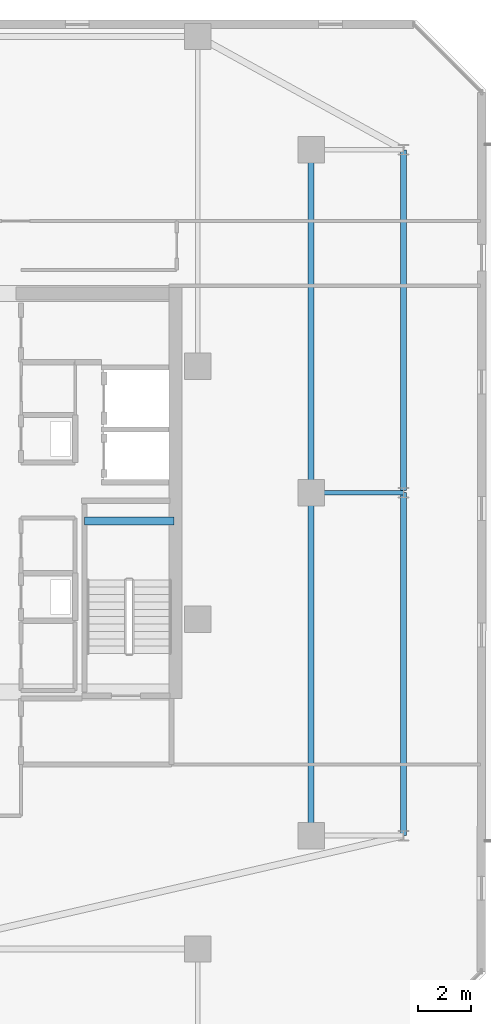
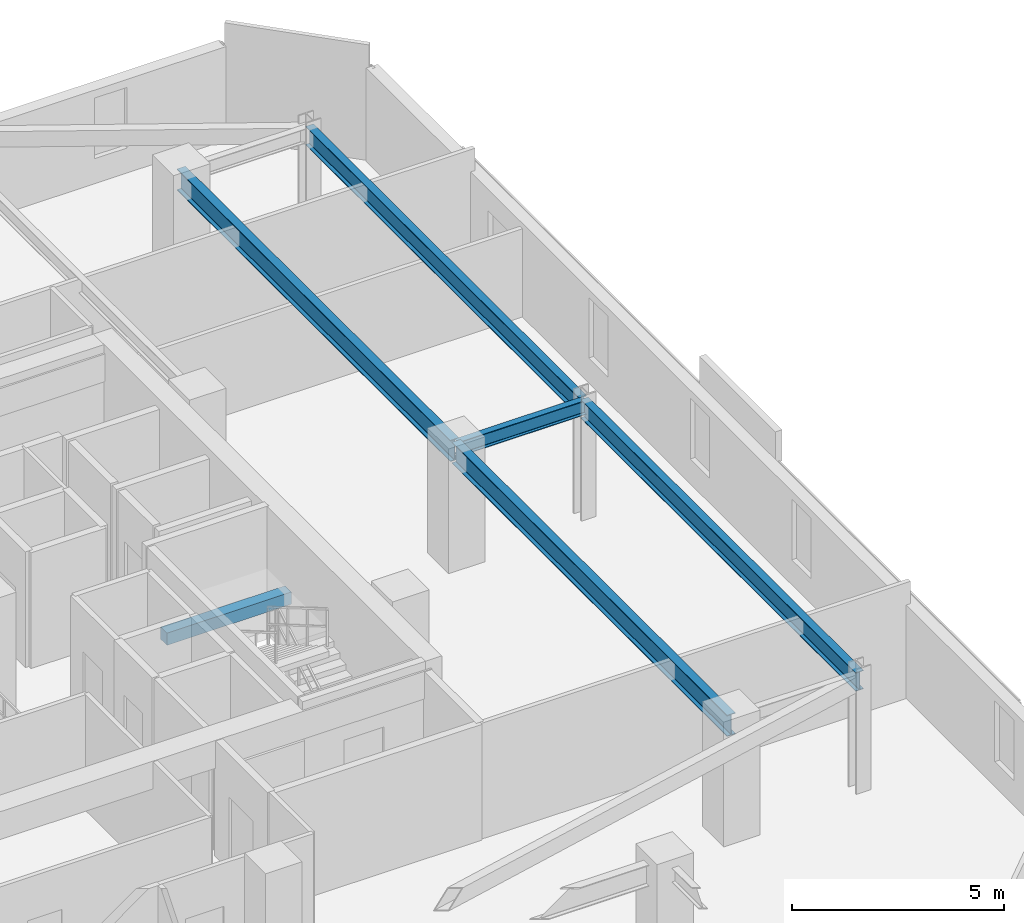
# One storey, part 13 of 31: 6 beams.
"""IFC4 building model written with IfcOpenShell, lengths in metres."""

from ifc_helpers import new_model, si_unit, direction, frame, origin, origin_2d, place, context, subcontext, project, spatial, rectangle, i_section, extrude, material, material_profile, profile_set, type_object, element, save


model = new_model("IFC4")

# Units and contexts
model_context = context("Model", 3, precision=1e-05, world=origin(), true_north=direction((0.0, 1.0)))
body_context = subcontext(model_context, "Body", "Model", "MODEL_VIEW")
ifc_project = project(units=[si_unit("LENGTHUNIT", "METRE"), si_unit("AREAUNIT", "SQUARE_METRE"), si_unit("VOLUMEUNIT", "CUBIC_METRE"), si_unit("PLANEANGLEUNIT", "RADIAN"), si_unit("MASSUNIT", "GRAM", prefix="KILO")], contexts=[model_context])

# Site, building, storey
site_placement = place(None, origin())
site = spatial("IfcSite", under=ifc_project, at=site_placement, CompositionType="ELEMENT")
building_placement = place(site_placement, origin())
building = spatial("IfcBuilding", under=site, at=building_placement, Name="Thornwick Lancets Civic Towers", CompositionType="ELEMENT")
storey_placement = place(building_placement, frame((0.0, 0.0, 236.699951171875)))
storey = spatial("IfcBuildingStorey", under=building, at=storey_placement, Name="L63", CompositionType="ELEMENT", Elevation=236.699951171875)

# Beams
ifc_material_1 = material(Name="Steel S355JR", Category="steel")
ifc_material_profile_1 = material_profile(ifc_material_1, i_section(OverallWidth=0.210693359375, OverallDepth=0.53955078125, WebThickness=0.01171875, FlangeThickness=0.018798828125, FilletRadius=0.0126953125, at=origin_2d()), Name="UKB 533x210x109")
ifc_profile_set_1 = profile_set([ifc_material_profile_1], Name="Steel S355JR")
beam_type_1 = type_object("IfcBeamType", Name="BM_EDGE_533_109", PredefinedType="SPANDREL", material=ifc_profile_set_1)
beam_1_placement = place(storey_placement, frame((109.300048828125, 14.0, 3.09033203125), z_axis=(0.0, 1.0, 0.0), x_axis=(-1.0, 0.0, 0.0)))
element("IfcBeam", 1, at=beam_1_placement, inside=storey, type_object=beam_type_1, Name="BM-EDGE-L63-B-S0-1", PredefinedType="SPANDREL", context=body_context, shape_type="SweptSolid", body=[
    extrude(i_section(OverallWidth=0.210693359375, OverallDepth=0.53955078125, WebThickness=0.01171875, FlangeThickness=0.018798828125, FilletRadius=0.0126953125, at=origin_2d()), origin(), (0.0, 0.0, 1.0), 13.0),
])
beam_2_placement = place(storey_placement, frame((109.300048828125, 27.080078125, 3.09033203125), z_axis=(0.0, 1.0, 0.0), x_axis=(-1.0, 0.0, 0.0)))
element("IfcBeam", 2, at=beam_2_placement, inside=storey, type_object=beam_type_1, Name="BM-EDGE-L63-B-S0-2", PredefinedType="SPANDREL", context=body_context, shape_type="SweptSolid", body=[
    extrude(i_section(OverallWidth=0.210693359375, OverallDepth=0.53955078125, WebThickness=0.01171875, FlangeThickness=0.018798828125, FilletRadius=0.0126953125, at=origin_2d()), origin(), (0.0, 0.0, 1.0), 12.919921875),
])
ifc_material_profile_2 = material_profile(ifc_material_1, i_section(OverallWidth=0.230224609375, OverallDepth=0.6171875, WebThickness=0.01318359375, FlangeThickness=0.022216796875, FilletRadius=0.0126953125, at=origin_2d()), Name="UKB 610x229x140")
ifc_profile_set_2 = profile_set([ifc_material_profile_2], Name="Steel S355JR")
beam_type_2 = type_object("IfcBeamType", Name="BM_GIRD_610_140", PredefinedType="BEAM", material=ifc_profile_set_2)
beam_3_placement = place(storey_placement, frame((105.800048828125, 14.0, 3.051513671875), z_axis=(0.0, 1.0, 0.0), x_axis=(-1.0, 0.0, 0.0)))
element("IfcBeam", 3, at=beam_3_placement, inside=storey, type_object=beam_type_2, Name="BM-SPINE-L63-B-0-1", PredefinedType="BEAM", context=body_context, shape_type="SweptSolid", body=[
    extrude(i_section(OverallWidth=0.230224609375, OverallDepth=0.6171875, WebThickness=0.01318359375, FlangeThickness=0.022216796875, FilletRadius=0.0126953125, at=origin_2d()), origin(), (0.0, 0.0, 1.0), 13.0),
])
beam_4_placement = place(storey_placement, frame((105.800048828125, 27.080078125, 3.051513671875), z_axis=(0.0, 1.0, 0.0), x_axis=(-1.0, 0.0, 0.0)))
element("IfcBeam", 4, at=beam_4_placement, inside=storey, type_object=beam_type_2, Name="BM-SPINE-L63-B-1-2", PredefinedType="BEAM", context=body_context, shape_type="SweptSolid", body=[
    extrude(i_section(OverallWidth=0.230224609375, OverallDepth=0.6171875, WebThickness=0.01318359375, FlangeThickness=0.022216796875, FilletRadius=0.0126953125, at=origin_2d()), origin(), (0.0, 0.0, 1.0), 12.919921875),
])
ifc_material_profile_3 = material_profile(ifc_material_1, i_section(OverallWidth=0.179443359375, OverallDepth=0.412841796875, WebThickness=0.009521484375, FlangeThickness=0.01611328125, FilletRadius=0.01025390625, at=origin_2d()), Name="UKB 406x178x74")
ifc_profile_set_3 = profile_set([ifc_material_profile_3], Name="Steel S355JR")
beam_type_3 = type_object("IfcBeamType", Name="BM_JOIST_406_74", PredefinedType="JOIST", material=ifc_profile_set_3)
beam_5_placement = place(storey_placement, frame((105.800048828125, 27.0, 3.153564453125), z_axis=(1.0, 0.0, 0.0), x_axis=(0.0, 1.0, 0.0)))
element("IfcBeam", 5, at=beam_5_placement, inside=storey, type_object=beam_type_3, Name="BM-RAD-L63-B02", PredefinedType="JOIST", context=body_context, shape_type="SweptSolid", body=[
    extrude(i_section(OverallWidth=0.179443359375, OverallDepth=0.412841796875, WebThickness=0.009521484375, FlangeThickness=0.01611328125, FilletRadius=0.01025390625, at=origin_2d()), origin(), (0.0, 0.0, 1.0), 3.5),
])
ifc_material_2 = material(Name="Concrete C40/50", Category="concrete")
ifc_material_profile_4 = material_profile(ifc_material_2, rectangle(XDim=0.300048828125, YDim=0.35009765625, at=origin_2d()), Name="RC 300x350")
ifc_profile_set_4 = profile_set([ifc_material_profile_4], Name="Concrete C40/50")
beam_type_4 = type_object("IfcBeamType", Name="BM_STAIR_LDG", PredefinedType="BEAM", material=ifc_profile_set_4)
beam_6_placement = place(storey_placement, frame((100.60009765625, 25.93505859375, 1.3779296875), z_axis=(-1.0, 0.0, 0.0), x_axis=(0.0, -1.0, 0.0)))
element("IfcBeam", 6, at=beam_6_placement, inside=storey, type_object=beam_type_4, Name="L63 ST-B1 Landing Support Beam 1", PredefinedType="BEAM", context=body_context, shape_type="SweptSolid", body=[
    extrude(rectangle(XDim=0.300048828125, YDim=0.35009765625, at=origin_2d()), origin(), (0.0, 0.0, 1.0), 3.400146484375),
])

save(model, "model.ifc")
